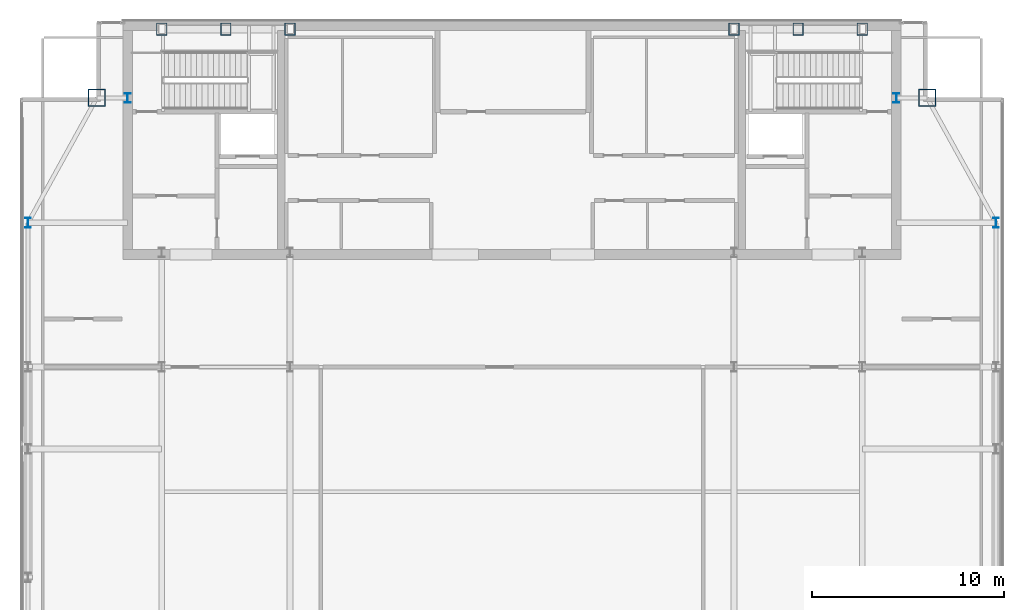
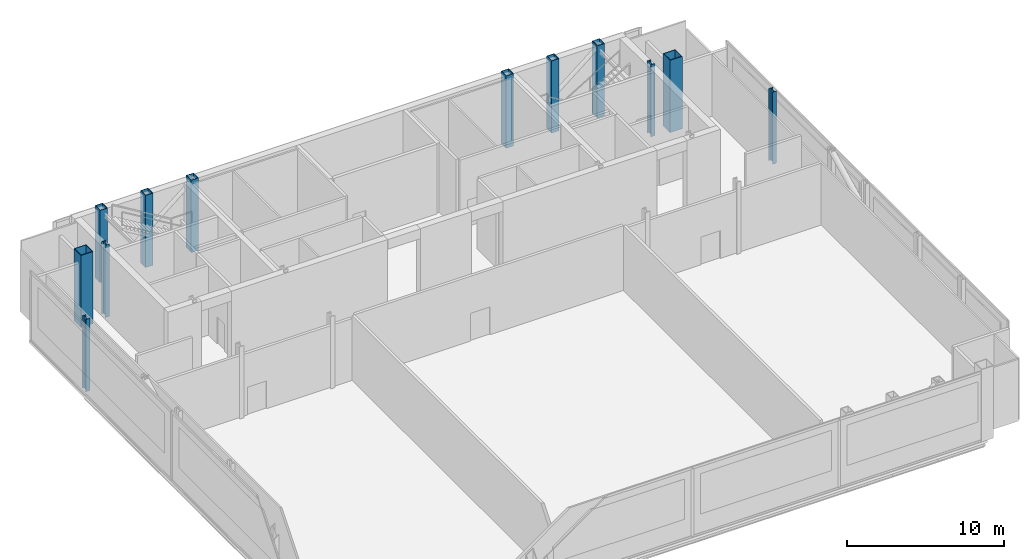
# One storey, part 3 of 22: 12 columns.
"""IFC4 building model written with IfcOpenShell, lengths in metres."""

from ifc_helpers import new_model, si_unit, direction, frame, origin, origin_2d, place, context, subcontext, project, spatial, hollow_rectangle, i_section, extrude, material, material_profile, profile_set, type_object, element, save


model = new_model("IFC4")

# Units and contexts
model_context = context("Model", 3, precision=1e-05, world=origin(), true_north=direction((0.0, 1.0)))
body_context = subcontext(model_context, "Body", "Model", "MODEL_VIEW")
ifc_project = project(units=[si_unit("LENGTHUNIT", "METRE"), si_unit("AREAUNIT", "SQUARE_METRE"), si_unit("VOLUMEUNIT", "CUBIC_METRE"), si_unit("PLANEANGLEUNIT", "RADIAN"), si_unit("MASSUNIT", "GRAM", prefix="KILO")], contexts=[model_context])

# Site, building, storey
site_placement = place(None, origin())
site = spatial("IfcSite", under=ifc_project, at=site_placement, CompositionType="ELEMENT")
building_placement = place(site_placement, origin())
building = spatial("IfcBuilding", under=site, at=building_placement, Name="Khoronbel Lancet Exchange", CompositionType="ELEMENT")
storey_placement = place(building_placement, frame((0.0, 0.0, 361.800048828125)))
storey = spatial("IfcBuildingStorey", under=building, at=storey_placement, Name="L93", CompositionType="ELEMENT", Elevation=361.800048828125)

# Columns
ifc_material_1 = material(Name="Steel S355", Category="steel")
ifc_material_profile_1 = material_profile(ifc_material_1, i_section(OverallWidth=0.300048828125, OverallDepth=0.5, WebThickness=0.014404296875, FlangeThickness=0.028076171875, at=origin_2d()), Name="HEB 500")
ifc_profile_set_1 = profile_set([ifc_material_profile_1], Name="Steel S355")
column_type_1 = type_object("IfcColumnType", Name="COL-CRC1", PredefinedType="COLUMN", material=ifc_profile_set_1)
for number, where, z_axis, x_axis, name in (
    (1, (11.27001953125, 43.199951171875, 0.0), (0.0, 0.0, 1.0), (1.0, 0.0, 0.0), "CROWN FRAME column WC-4 L93"),
    (2, (61.6298828125, 43.199951171875, 0.0), (0.0, 0.0, 1.0), (1.0, 0.0, 0.0), "CROWN FRAME column EC-4 L93"),
    (3, (16.449951171875, 49.699951171875, 0.0), (0.0, 0.0, 1.0), (1.0, 0.0, 0.0), "Core-flank plumb transfer column CFW L93"),
    (4, (56.449951171875, 49.699951171875, 0.0), (0.0, 0.0, 1.0), (1.0, 0.0, 0.0), "Core-flank plumb transfer column CFE L93"),
):
    element("IfcColumn", number, at=place(storey_placement, frame(where, z_axis=z_axis, x_axis=x_axis)), inside=storey, type_object=column_type_1, Name=name, PredefinedType="COLUMN", context=body_context, shape_type="SweptSolid", body=[
        extrude(i_section(OverallWidth=0.300048828125, OverallDepth=0.5, WebThickness=0.014404296875, FlangeThickness=0.028076171875, at=origin_2d()), origin(), (0.0, 0.0, 1.0), 5.599853515625),
    ])
ifc_material_2 = material(Name="Steel S460", Category="steel")
ifc_material_profile_2 = material_profile(ifc_material_2, hollow_rectangle(XDim=0.550048828125, YDim=0.64990234375, WallThickness=0.0400390625, at=origin_2d()), Name="BOX 650x550x40")
ifc_profile_set_2 = profile_set([ifc_material_profile_2], Name="Steel S460")
column_type_2 = type_object("IfcColumnType", Name="COL-EC4", PredefinedType="COLUMN", material=ifc_profile_set_2)
for number, where, z_axis, x_axis, name in (
    (5, (18.22509765625, 53.280029296875, 0.0), (0.0, 0.0, 1.0), (1.0, 0.0, 0.0), "CROWN FRAME column NC-W1 L93"),
    (6, (21.5625, 53.280029296875, 0.0), (0.0, 0.0, 1.0), (1.0, 0.0, 0.0), "CROWN FRAME column NC-WM L93"),
    (7, (24.89990234375, 53.280029296875, 0.0), (0.0, 0.0, 1.0), (1.0, 0.0, 0.0), "CROWN FRAME column NC-W2 L93"),
    (8, (48.0, 53.280029296875, 0.0), (0.0, 0.0, 1.0), (1.0, 0.0, 0.0), "CROWN FRAME column NC-E1 L93"),
    (9, (51.33740234375, 53.280029296875, 0.0), (0.0, 0.0, 1.0), (1.0, 0.0, 0.0), "CROWN FRAME column NC-EM L93"),
    (10, (54.675048828125, 53.280029296875, 0.0), (0.0, 0.0, 1.0), (1.0, 0.0, 0.0), "CROWN FRAME column NC-E2 L93"),
):
    element("IfcColumn", number, at=place(storey_placement, frame(where, z_axis=z_axis, x_axis=x_axis)), inside=storey, type_object=column_type_2, Name=name, PredefinedType="COLUMN", context=body_context, shape_type="SweptSolid", body=[
        extrude(hollow_rectangle(XDim=0.550048828125, YDim=0.64990234375, WallThickness=0.0400390625, at=origin_2d()), origin(), (0.0, 0.0, 1.0), 5.599853515625),
    ])
ifc_material_profile_3 = material_profile(ifc_material_2, hollow_rectangle(XDim=0.89990234375, YDim=0.89990234375, WallThickness=0.050048828125, at=origin_2d()), Name="BOX 900x900x50")
ifc_profile_set_3 = profile_set([ifc_material_profile_3], Name="Steel S460")
column_type_3 = type_object("IfcColumnType", Name="COL-MC7", PredefinedType="COLUMN", material=ifc_profile_set_3)
for number, where, z_axis, x_axis, name in (
    (11, (58.050048828125, 49.699951171875, 0.0), (0.0, 0.0, 1.0), (1.0, 0.0, 0.0), "CROWN FRAME column MC-NE L93"),
    (12, (14.85009765625, 49.699951171875, 0.0), (0.0, 0.0, 1.0), (1.0, 0.0, 0.0), "CROWN FRAME column MC-NW L93"),
):
    element("IfcColumn", number, at=place(storey_placement, frame(where, z_axis=z_axis, x_axis=x_axis)), inside=storey, type_object=column_type_3, Name=name, PredefinedType="COLUMN", context=body_context, shape_type="SweptSolid", body=[
        extrude(hollow_rectangle(XDim=0.89990234375, YDim=0.89990234375, WallThickness=0.050048828125, at=origin_2d()), origin(), (0.0, 0.0, 1.0), 5.599853515625),
    ])

save(model, "model.ifc")
